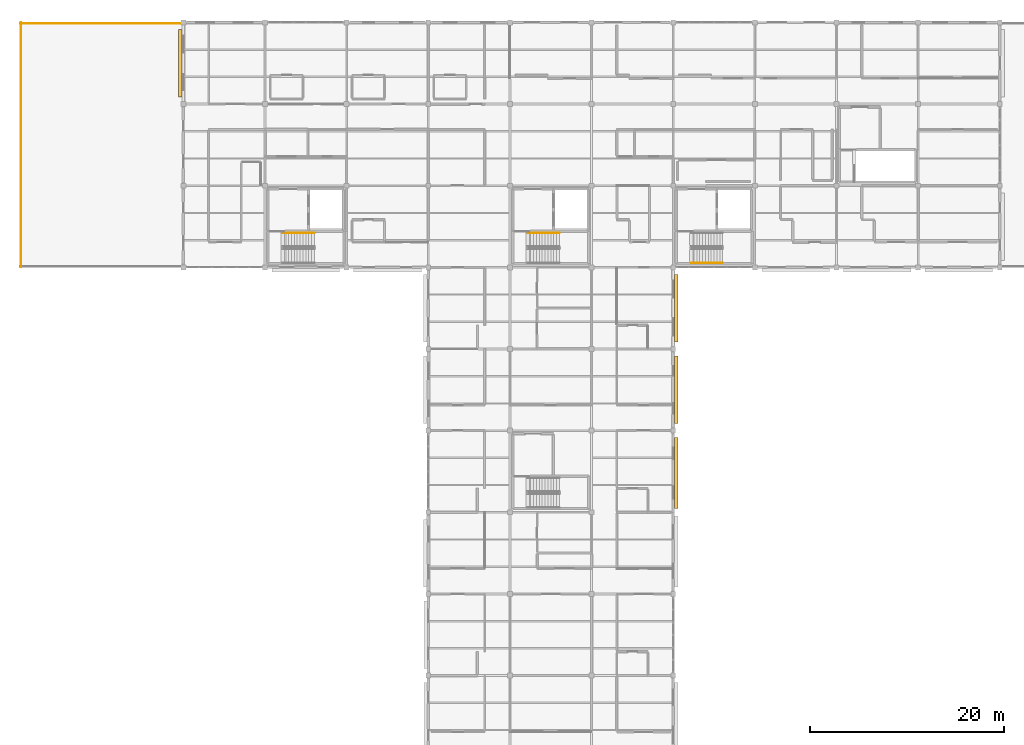
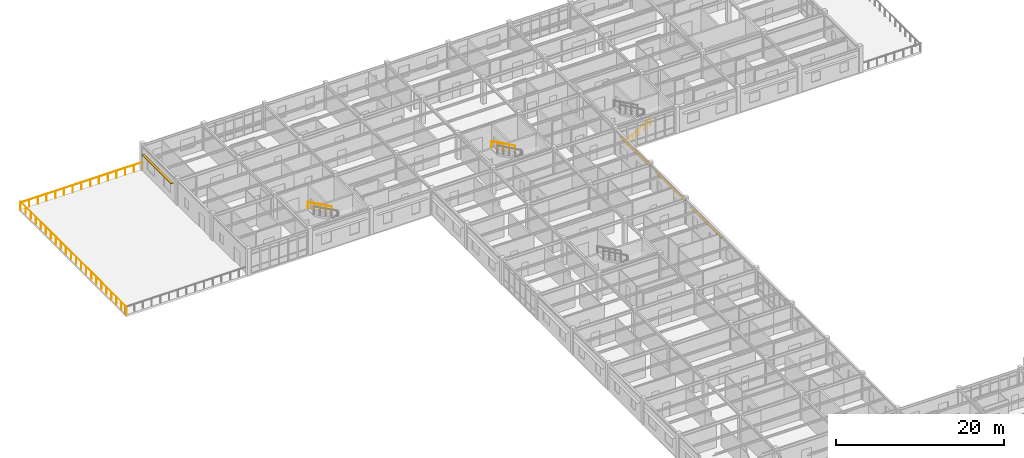
# One storey, part 51 of 53: 8 railings, 4 shading devices.
"""IFC4 building model written with IfcOpenShell, lengths in metres."""

from ifc_helpers import new_model, si_unit, direction, frame, origin, origin_2d, place, context, subcontext, project, spatial, rectangle, circle, extrude, material, material_profile, profile_set, type_object, element, save


model = new_model("IFC4")

# Units and contexts
model_context = context("Model", 3, precision=1e-05, world=origin(), true_north=direction((0.0, 1.0)))
body_context = subcontext(model_context, "Body", "Model", "MODEL_VIEW")
ifc_project = project(units=[si_unit("LENGTHUNIT", "METRE"), si_unit("AREAUNIT", "SQUARE_METRE"), si_unit("VOLUMEUNIT", "CUBIC_METRE"), si_unit("PLANEANGLEUNIT", "RADIAN"), si_unit("MASSUNIT", "GRAM", prefix="KILO")], contexts=[model_context])

# Site, building, storey
site_placement = place(None, origin())
site = spatial("IfcSite", under=ifc_project, at=site_placement, CompositionType="ELEMENT")
building_placement = place(site_placement, origin())
building = spatial("IfcBuilding", under=site, at=building_placement, Name="Bramfleet General Hospital", CompositionType="ELEMENT")
storey_placement = place(building_placement, frame((0.0, 0.0, 26.39990234375)))
storey = spatial("IfcBuildingStorey", under=building, at=storey_placement, Name="L06", CompositionType="ELEMENT", Elevation=26.39990234375)

# Railings
ifc_material_1 = material(Name="Stainless steel 1.4401 safety balustrade", Category="steel")
railing_type_1 = type_object("IfcRailingType", Name="RAIL-EXT-GUARD", PredefinedType="GUARDRAIL", material=ifc_material_1)
railing_1_placement = place(storey_placement, frame((50.5, 92.409912109375, 0.0)))
element("IfcRailing", 1, at=railing_1_placement, inside=storey, type_object=railing_type_1, Name="L06 Safety Guard Rail 201", PredefinedType="GUARDRAIL", context=body_context, shape_type="SweptSolid", body=[
    extrude(circle(Radius=0.02392578125, at=origin_2d()), frame((0.0, 0.0, 1.076171875), z_axis=(0.0, 1.0, 0.0), x_axis=(-1.0, 0.0, 0.0)), (0.0, 0.0, 1.0), 8.380126953125),
    extrude(circle(Radius=0.02099609375, at=origin_2d()), origin(), (0.0, 0.0, 1.0), 1.052001953125),
    extrude(circle(Radius=0.02099609375, at=origin_2d()), frame((0.0, 1.197265625, 0.0)), (0.0, 0.0, 1.0), 1.052001953125),
    extrude(circle(Radius=0.02099609375, at=origin_2d()), frame((0.0, 2.394287109375, 0.0)), (0.0, 0.0, 1.0), 1.052001953125),
    extrude(circle(Radius=0.02099609375, at=origin_2d()), frame((0.0, 3.591552734375, 0.0)), (0.0, 0.0, 1.0), 1.052001953125),
    extrude(circle(Radius=0.02099609375, at=origin_2d()), frame((0.0, 4.78857421875, 0.0)), (0.0, 0.0, 1.0), 1.052001953125),
    extrude(circle(Radius=0.02099609375, at=origin_2d()), frame((0.0, 5.98583984375, 0.0)), (0.0, 0.0, 1.0), 1.052001953125),
    extrude(circle(Radius=0.02099609375, at=origin_2d()), frame((0.0, 7.182861328125, 0.0)), (0.0, 0.0, 1.0), 1.052001953125),
    extrude(circle(Radius=0.02099609375, at=origin_2d()), frame((0.0, 8.380126953125, 0.0)), (0.0, 0.0, 1.0), 1.052001953125),
])
railing_2_placement = place(storey_placement, frame((50.5, 100.81005859375, 0.0)))
element("IfcRailing", 2, at=railing_2_placement, inside=storey, type_object=railing_type_1, Name="L06 Safety Guard Rail 202", PredefinedType="GUARDRAIL", context=body_context, shape_type="SweptSolid", body=[
    extrude(circle(Radius=0.02392578125, at=origin_2d()), frame((0.0, 0.0, 1.076171875), z_axis=(0.0, 1.0, 0.0), x_axis=(-1.0, 0.0, 0.0)), (0.0, 0.0, 1.0), 8.3798828125),
    extrude(circle(Radius=0.02099609375, at=origin_2d()), origin(), (0.0, 0.0, 1.0), 1.052001953125),
    extrude(circle(Radius=0.02099609375, at=origin_2d()), frame((0.0, 1.197021484375, 0.0)), (0.0, 0.0, 1.0), 1.052001953125),
    extrude(circle(Radius=0.02099609375, at=origin_2d()), frame((0.0, 2.394287109375, 0.0)), (0.0, 0.0, 1.0), 1.052001953125),
    extrude(circle(Radius=0.02099609375, at=origin_2d()), frame((0.0, 3.59130859375, 0.0)), (0.0, 0.0, 1.0), 1.052001953125),
    extrude(circle(Radius=0.02099609375, at=origin_2d()), frame((0.0, 4.78857421875, 0.0)), (0.0, 0.0, 1.0), 1.052001953125),
    extrude(circle(Radius=0.02099609375, at=origin_2d()), frame((0.0, 5.985595703125, 0.0)), (0.0, 0.0, 1.0), 1.052001953125),
    extrude(circle(Radius=0.02099609375, at=origin_2d()), frame((0.0, 7.182861328125, 0.0)), (0.0, 0.0, 1.0), 1.052001953125),
    extrude(circle(Radius=0.02099609375, at=origin_2d()), frame((0.0, 8.3798828125, 0.0)), (0.0, 0.0, 1.0), 1.052001953125),
])
railing_3_placement = place(storey_placement, frame((50.5, 109.2099609375, 0.0)))
element("IfcRailing", 3, at=railing_3_placement, inside=storey, type_object=railing_type_1, Name="L06 Safety Guard Rail 203", PredefinedType="GUARDRAIL", context=body_context, shape_type="SweptSolid", body=[
    extrude(circle(Radius=0.02392578125, at=origin_2d()), frame((0.0, 0.0, 1.076171875), z_axis=(0.0, 1.0, 0.0), x_axis=(-1.0, 0.0, 0.0)), (0.0, 0.0, 1.0), 8.380126953125),
    extrude(circle(Radius=0.02099609375, at=origin_2d()), origin(), (0.0, 0.0, 1.0), 1.052001953125),
    extrude(circle(Radius=0.02099609375, at=origin_2d()), frame((0.0, 1.197265625, 0.0)), (0.0, 0.0, 1.0), 1.052001953125),
    extrude(circle(Radius=0.02099609375, at=origin_2d()), frame((0.0, 2.394287109375, 0.0)), (0.0, 0.0, 1.0), 1.052001953125),
    extrude(circle(Radius=0.02099609375, at=origin_2d()), frame((0.0, 3.591552734375, 0.0)), (0.0, 0.0, 1.0), 1.052001953125),
    extrude(circle(Radius=0.02099609375, at=origin_2d()), frame((0.0, 4.78857421875, 0.0)), (0.0, 0.0, 1.0), 1.052001953125),
    extrude(circle(Radius=0.02099609375, at=origin_2d()), frame((0.0, 5.98583984375, 0.0)), (0.0, 0.0, 1.0), 1.052001953125),
    extrude(circle(Radius=0.02099609375, at=origin_2d()), frame((0.0, 7.182861328125, 0.0)), (0.0, 0.0, 1.0), 1.052001953125),
    extrude(circle(Radius=0.02099609375, at=origin_2d()), frame((0.0, 8.380126953125, 0.0)), (0.0, 0.0, 1.0), 1.052001953125),
])
railing_4_placement = place(storey_placement, frame((50.409912109375, 117.5, 0.0)))
element("IfcRailing", 4, at=railing_4_placement, inside=storey, type_object=railing_type_1, Name="L06 Safety Guard Rail 204", PredefinedType="GUARDRAIL", context=body_context, shape_type="SweptSolid", body=[
    extrude(circle(Radius=0.02392578125, at=origin_2d()), frame((0.0, 0.0, 1.076171875), z_axis=(1.0, 0.0, 0.0), x_axis=(0.0, 1.0, 0.0)), (0.0, 0.0, 1.0), 8.380126953125),
    extrude(circle(Radius=0.02099609375, at=origin_2d()), origin(), (0.0, 0.0, 1.0), 1.052001953125),
    extrude(circle(Radius=0.02099609375, at=origin_2d()), frame((1.197265625, 0.0, 0.0)), (0.0, 0.0, 1.0), 1.052001953125),
    extrude(circle(Radius=0.02099609375, at=origin_2d()), frame((2.394287109375, 0.0, 0.0)), (0.0, 0.0, 1.0), 1.052001953125),
    extrude(circle(Radius=0.02099609375, at=origin_2d()), frame((3.591552734375, 0.0, 0.0)), (0.0, 0.0, 1.0), 1.052001953125),
    extrude(circle(Radius=0.02099609375, at=origin_2d()), frame((4.78857421875, 0.0, 0.0)), (0.0, 0.0, 1.0), 1.052001953125),
    extrude(circle(Radius=0.02099609375, at=origin_2d()), frame((5.98583984375, 0.0, 0.0)), (0.0, 0.0, 1.0), 1.052001953125),
    extrude(circle(Radius=0.02099609375, at=origin_2d()), frame((7.182861328125, 0.0, 0.0)), (0.0, 0.0, 1.0), 1.052001953125),
    extrude(circle(Radius=0.02099609375, at=origin_2d()), frame((8.380126953125, 0.0, 0.0)), (0.0, 0.0, 1.0), 1.052001953125),
])
railing_5_placement = place(storey_placement, frame((58.81005859375, 117.5, 0.0)))
element("IfcRailing", 5, at=railing_5_placement, inside=storey, type_object=railing_type_1, Name="L06 Safety Guard Rail 205", PredefinedType="GUARDRAIL", context=body_context, shape_type="SweptSolid", body=[
    extrude(circle(Radius=0.02392578125, at=origin_2d()), frame((0.0, 0.0, 1.076171875), z_axis=(1.0, 0.0, 0.0), x_axis=(0.0, 1.0, 0.0)), (0.0, 0.0, 1.0), 8.3798828125),
    extrude(circle(Radius=0.02099609375, at=origin_2d()), origin(), (0.0, 0.0, 1.0), 1.052001953125),
    extrude(circle(Radius=0.02099609375, at=origin_2d()), frame((1.197021484375, 0.0, 0.0)), (0.0, 0.0, 1.0), 1.052001953125),
    extrude(circle(Radius=0.02099609375, at=origin_2d()), frame((2.394287109375, 0.0, 0.0)), (0.0, 0.0, 1.0), 1.052001953125),
    extrude(circle(Radius=0.02099609375, at=origin_2d()), frame((3.59130859375, 0.0, 0.0)), (0.0, 0.0, 1.0), 1.052001953125),
    extrude(circle(Radius=0.02099609375, at=origin_2d()), frame((4.78857421875, 0.0, 0.0)), (0.0, 0.0, 1.0), 1.052001953125),
    extrude(circle(Radius=0.02099609375, at=origin_2d()), frame((5.985595703125, 0.0, 0.0)), (0.0, 0.0, 1.0), 1.052001953125),
    extrude(circle(Radius=0.02099609375, at=origin_2d()), frame((7.182861328125, 0.0, 0.0)), (0.0, 0.0, 1.0), 1.052001953125),
    extrude(circle(Radius=0.02099609375, at=origin_2d()), frame((8.3798828125, 0.0, 0.0)), (0.0, 0.0, 1.0), 1.052001953125),
])
ifc_material_2 = material(Name="Stainless steel 1.4301 stair handrail", Category="steel")
railing_type_2 = type_object("IfcRailingType", Name="RAIL-ST-HND", PredefinedType="HANDRAIL", material=ifc_material_2)
for number, where, name in (
    (6, (105.885009765625, 95.929931640625, 2.112548828125), "L06 ST-C4 stair handrail 2"),
    (7, (80.68505859375, 95.929931640625, 2.112548828125), "L06 ST-C5 stair handrail 2"),
):
    element("IfcRailing", number, at=place(storey_placement, frame(where)), inside=storey, type_object=railing_type_2, Name=name, PredefinedType="HANDRAIL", context=body_context, shape_type="SweptSolid", body=[
        extrude(circle(Radius=0.02392578125, at=origin_2d()), frame((0.0, 0.0, 0.8759765625), z_axis=(-0.875898504189, 0.0, 0.482495399314), x_axis=(0.0, -1.0, 0.0)), (0.0, 0.0, 1.0), 3.704833984375),
        extrude(circle(Radius=0.02099609375, at=origin_2d()), origin(), (0.0, 0.0, 1.0), 0.851806640625),
        extrude(circle(Radius=0.02099609375, at=origin_2d()), frame((-0.811279296875, 0.0, 0.44677734375)), (0.0, 0.0, 1.0), 0.851806640625),
        extrude(circle(Radius=0.02099609375, at=origin_2d()), frame((-1.62255859375, 0.0, 0.893798828125)), (0.0, 0.0, 1.0), 0.851806640625),
        extrude(circle(Radius=0.02099609375, at=origin_2d()), frame((-2.433837890625, 0.0, 1.3408203125)), (0.0, 0.0, 1.0), 0.851806640625),
        extrude(circle(Radius=0.02099609375, at=origin_2d()), frame((-3.2451171875, 0.0, 1.78759765625)), (0.0, 0.0, 1.0), 0.851806640625),
    ])
railing_6_placement = place(storey_placement, frame((119.43994140625, 92.8701171875, 0.16259765625)))
element("IfcRailing", 8, at=railing_6_placement, inside=storey, type_object=railing_type_2, Name="L06 ST-C6 stair handrail 1", PredefinedType="HANDRAIL", context=body_context, shape_type="SweptSolid", body=[
    extrude(circle(Radius=0.02392578125, at=origin_2d()), frame((0.0, 0.0, 0.8759765625), z_axis=(0.875898504189, 0.0, 0.482495399314), x_axis=(0.0, 1.0, 0.0)), (0.0, 0.0, 1.0), 3.704833984375),
    extrude(circle(Radius=0.02099609375, at=origin_2d()), origin(), (0.0, 0.0, 1.0), 0.851806640625),
    extrude(circle(Radius=0.02099609375, at=origin_2d()), frame((0.811279296875, 0.0, 0.44677734375)), (0.0, 0.0, 1.0), 0.851806640625),
    extrude(circle(Radius=0.02099609375, at=origin_2d()), frame((1.62255859375, 0.0, 0.893798828125)), (0.0, 0.0, 1.0), 0.851806640625),
    extrude(circle(Radius=0.02099609375, at=origin_2d()), frame((2.433837890625, 0.0, 1.3408203125)), (0.0, 0.0, 1.0), 0.851806640625),
    extrude(circle(Radius=0.02099609375, at=origin_2d()), frame((3.2451171875, 0.0, 1.78759765625)), (0.0, 0.0, 1.0), 0.851806640625),
])

# Shading devices
ifc_material_3 = material(Name="Anodised aluminium EN AW-6063", Category="aluminium")
ifc_material_profile = material_profile(ifc_material_3, rectangle(XDim=0.050048828125, YDim=0.35009765625, at=origin_2d()), Name="ALU LOUVRE 350x50")
ifc_profile_set = profile_set([ifc_material_profile], Name="Anodised aluminium EN AW-6063")
shading_device_type = type_object("IfcShadingDeviceType", Name="SHD-LVR-350", PredefinedType="USERDEFINED", material=ifc_profile_set)
for number, where, z_axis, x_axis, name in (
    (9, (66.87255859375, 109.925048828125, 2.670166015625), (0.0, 1.0, 0.0), (0.0, 0.0, 1.0), "L06 Solar Shading Louvre 83"),
    (10, (117.927490234375, 91.675048828125, 2.670166015625), (0.0, -1.0, 0.0), (0.0, 0.0, 1.0), "L06 Solar Shading Louvre 89"),
    (11, (117.91748046875, 83.27490234375, 2.670166015625), (0.0, -1.0, 0.0), (0.0, 0.0, 1.0), "L06 Solar Shading Louvre 90"),
):
    element("IfcShadingDevice", number, at=place(storey_placement, frame(where, z_axis=z_axis, x_axis=x_axis)), inside=storey, type_object=shading_device_type, Name=name, ObjectType="Louvre", PredefinedType="USERDEFINED", context=body_context, shape_type="SweptSolid", body=[
        extrude(rectangle(XDim=0.050048828125, YDim=0.35009765625, at=origin_2d()), origin(), (0.0, 0.0, 1.0), 6.949951171875),
    ])
shading_device_placement = place(storey_placement, frame((117.907470703125, 74.875, 2.670166015625), z_axis=(0.0, -1.0, 0.0), x_axis=(0.0, 0.0, 1.0)))
element("IfcShadingDevice", 12, at=shading_device_placement, inside=storey, type_object=shading_device_type, Name="L06 Solar Shading Louvre 91", ObjectType="Louvre", PredefinedType="USERDEFINED", context=body_context, shape_type="SweptSolid", body=[
    extrude(rectangle(XDim=0.050048828125, YDim=0.35009765625, at=origin_2d()), origin(), (0.0, 0.0, 1.0), 7.27490234375),
])

save(model, "model.ifc")
